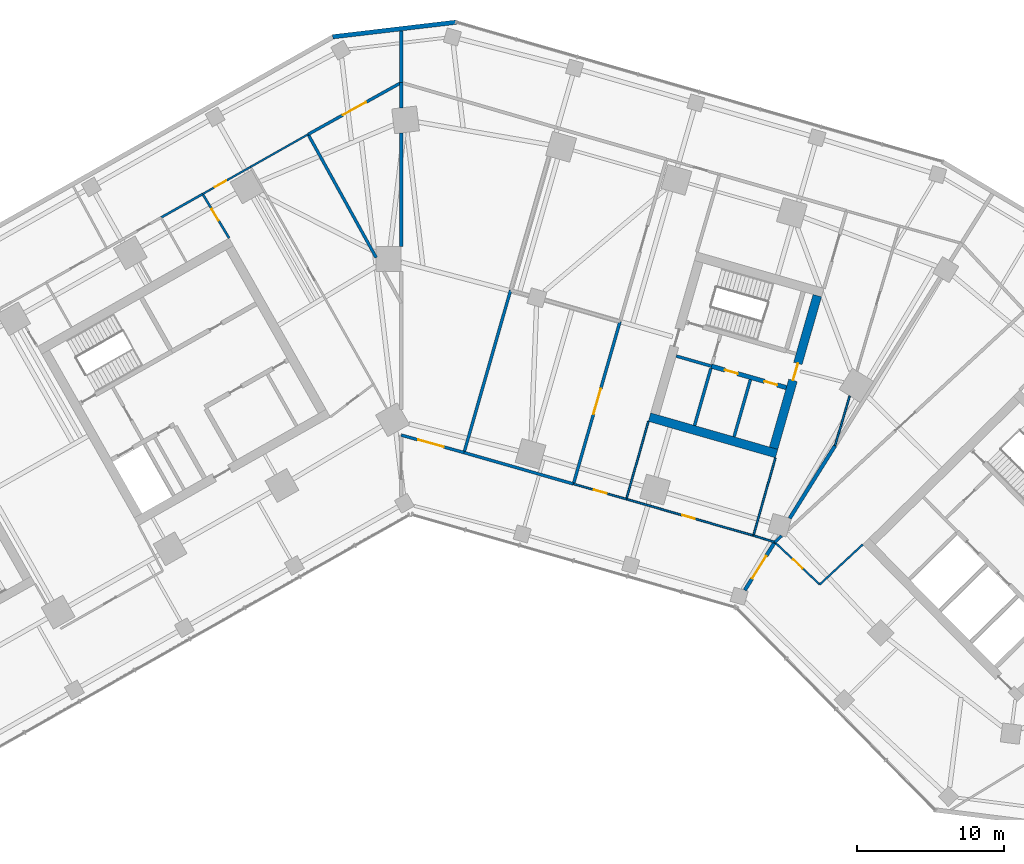
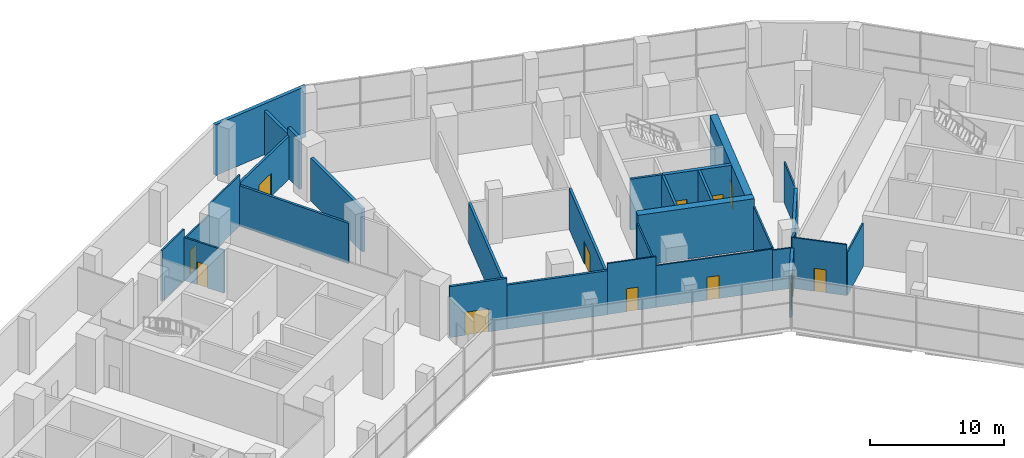
# One storey, part 13 of 18: 31 walls, 12 doors, 12 openings.
"""IFC4 building model written with IfcOpenShell, lengths in metres."""

from ifc_helpers import new_model, si_unit, direction, frame, frame_2d, origin, place, context, subcontext, project, spatial, rectangle, extrude, material, layer, layer_set, type_object, element, fill, save


model = new_model("IFC4")

# Units and contexts
model_context = context("Model", 3, precision=1e-05, world=origin(), true_north=direction((0.0, 1.0)))
body_context = subcontext(model_context, "Body", "Model", "MODEL_VIEW")
ifc_project = project(units=[si_unit("LENGTHUNIT", "METRE"), si_unit("AREAUNIT", "SQUARE_METRE"), si_unit("VOLUMEUNIT", "CUBIC_METRE"), si_unit("PLANEANGLEUNIT", "RADIAN"), si_unit("MASSUNIT", "GRAM", prefix="KILO")], contexts=[model_context])

# Site, building, storey
site_placement = place(None, origin())
site = spatial("IfcSite", under=ifc_project, at=site_placement, CompositionType="ELEMENT")
building_placement = place(site_placement, origin())
building = spatial("IfcBuilding", under=site, at=building_placement, Name="Binnacle Exchange Tower", CompositionType="ELEMENT")
storey_placement = place(building_placement, frame((0.0, 0.0, 6.5)))
storey = spatial("IfcBuildingStorey", under=building, at=storey_placement, Name="L01", CompositionType="ELEMENT", Elevation=6.5)

# Wall
ifc_material_1 = material(Name="Gypsum partition fire rated")
ifc_layer_1 = layer(ifc_material_1, 0.199951171875)
ifc_layer_set_1 = layer_set([ifc_layer_1], Name="Core partition 200")
wall_type_1 = type_object("IfcWallType", Name="Core partition 200", PredefinedType="PARTITIONING", material=ifc_layer_set_1)
wall_1_placement = place(storey_placement, frame((22.664794921875, 47.88330078125, 0.0), z_axis=(0.0, 0.0, 1.0), x_axis=(0.275596769212, 0.961273333033, 0.0)))
element("IfcWall", 1, at=wall_1_placement, inside=storey, type_object=wall_type_1, Name="Core wall CRWD10", PredefinedType="PARTITIONING", context=body_context, shape_type="SweptSolid", body=[
    extrude(rectangle(XDim=4.050048828125, YDim=0.199951171875, at=frame_2d((2.02490234375, 0.0))), origin(), (0.0, 0.0, 1.0), 4.64990234375),
])

# Wall, openings, doors
ifc_material_2 = material(Name="Concrete C70/85", Category="concrete")
ifc_layer_2 = layer(ifc_material_2, 0.300048828125)
ifc_layer_set_2 = layer_set([ifc_layer_2], Name="Core wall - front 300")
wall_type_2 = type_object("IfcWallType", Name="Core wall - front 300", PredefinedType="SOLIDWALL", material=ifc_layer_set_2)
wall_2_placement = place(storey_placement, frame((21.130859375, 52.6923828125, 0.0), z_axis=(0.0, 0.0, 1.0), x_axis=(0.961271492568, -0.275603188616, 0.0)))
wall_2 = element("IfcWall", 2, at=wall_2_placement, inside=storey, type_object=wall_type_2, Name="Core wall CRWD3", PredefinedType="SOLIDWALL", context=body_context, shape_type="SweptSolid", body=[
    extrude(rectangle(XDim=5.300048828125, YDim=0.300048828125, at=frame_2d((2.64990234375, 0.0))), origin(), (0.0, 0.0, 1.0), 4.64990234375),
])
opening_1_placement = place(wall_2_placement, frame((0.949951171875, 0.0, 0.0)))
opening_1 = element("IfcOpeningElement", 3, at=opening_1_placement, cuts=wall_2, Name="Opening DD10", PredefinedType="OPENING", context=body_context, shape_type="SweptSolid", body=[
    extrude(rectangle(XDim=0.89990234375, YDim=2.10009765625, at=frame_2d((0.449951171875, 1.050048828125))), frame((0.0, 0.159912109375, 0.0), z_axis=(0.0, -1.0, 0.0), x_axis=(1.0, 0.0, 0.0)), (0.0, 0.0, 1.0), 0.320068359375),
])
opening_2_placement = place(wall_2_placement, frame((3.75, 0.0, 0.0)))
opening_2 = element("IfcOpeningElement", 4, at=opening_2_placement, cuts=wall_2, Name="Opening DD11", PredefinedType="OPENING", context=body_context, shape_type="SweptSolid", body=[
    extrude(rectangle(XDim=0.89990234375, YDim=2.10009765625, at=frame_2d((0.449951171875, 1.050048828125))), frame((0.0, 0.159912109375, 0.0), z_axis=(0.0, -1.0, 0.0), x_axis=(1.0, 0.0, 0.0)), (0.0, 0.0, 1.0), 0.320068359375),
])
ifc_material_3 = material(Name="Steel door leaf", Category="steel")
door_type_1 = type_object("IfcDoorType", Name="Fire door 900", OperationType="NOTDEFINED", PredefinedType="DOOR", material=ifc_material_3)
door_1_placement = place(opening_1_placement, frame((0.89990234375, 0.0, 0.0), z_axis=(0.0, 0.0, 1.0), x_axis=(-1.0, 0.0, 0.0)))
door_1 = element("IfcDoor", 5, at=door_1_placement, inside=storey, type_object=door_type_1, Name="Core room door IT STORE", OperationType="SINGLE_SWING_RIGHT", OverallHeight=2.10009765625, OverallWidth=0.89990234375, PredefinedType="DOOR", context=body_context, shape_type="SweptSolid", body=[
    extrude(rectangle(XDim=0.89990234375, YDim=2.10009765625, at=frame_2d((0.449951171875, 1.050048828125))), frame((0.0, 0.02490234375, 0.0), z_axis=(0.0, -1.0, 0.0), x_axis=(1.0, 0.0, 0.0)), (0.0, 0.0, 1.0), 0.050048828125),
])
fill(opening_1, door_1)
door_2_placement = place(opening_2_placement, frame((0.89990234375, 0.0, 0.0), z_axis=(0.0, 0.0, 1.0), x_axis=(-1.0, 0.0, 0.0)))
door_2 = element("IfcDoor", 6, at=door_2_placement, inside=storey, type_object=door_type_1, Name="Core room door UPS CUPBOARD", OperationType="SINGLE_SWING_LEFT", OverallHeight=2.10009765625, OverallWidth=0.89990234375, PredefinedType="DOOR", context=body_context, shape_type="SweptSolid", body=[
    extrude(rectangle(XDim=0.89990234375, YDim=2.10009765625, at=frame_2d((0.449951171875, 1.050048828125))), frame((0.0, 0.02490234375, 0.0), z_axis=(0.0, -1.0, 0.0), x_axis=(1.0, 0.0, 0.0)), (0.0, 0.0, 1.0), 0.050048828125),
])
fill(opening_2, door_2)

# Wall
ifc_layer_3 = layer(ifc_material_2, 0.60009765625)
ifc_layer_set_3 = layer_set([ifc_layer_3], Name="Core wall - outer 600")
wall_type_3 = type_object("IfcWallType", Name="Core wall - outer 600", PredefinedType="SOLIDWALL", material=ifc_layer_set_3)
wall_3_placement = place(storey_placement, frame((16.91064453125, 49.22119140625, 0.0), z_axis=(0.0, 0.0, 1.0), x_axis=(0.96126248289, -0.275634611374, 0.0)))
element("IfcWall", 7, at=wall_3_placement, inside=storey, type_object=wall_type_3, Name="Core wall CRWD1", PredefinedType="SOLIDWALL", context=body_context, shape_type="SweptSolid", body=[
    extrude(rectangle(XDim=9.0, YDim=0.60009765625, at=frame_2d((4.5, 0.0))), origin(), (0.0, 0.0, 1.0), 4.64990234375),
])

# Wall, opening, door
wall_4_placement = place(storey_placement, frame((25.356201171875, 47.111572265625, 0.0), z_axis=(0.0, 0.0, 1.0), x_axis=(0.275631631629, 0.961263337304, 0.0)))
wall_4 = element("IfcWall", 8, at=wall_4_placement, inside=storey, type_object=wall_type_3, Name="Core wall CRWD12", PredefinedType="SOLIDWALL", context=body_context, shape_type="SweptSolid", body=[
    extrude(rectangle(XDim=10.800048828125, YDim=0.60009765625, at=frame_2d((5.39990234375, 0.0))), origin(), (0.0, 0.0, 1.0), 4.64990234375),
])
opening_3_placement = place(wall_4_placement, frame((4.800048828125, 0.0, 0.0)))
opening_3 = element("IfcOpeningElement", 9, at=opening_3_placement, cuts=wall_4, Name="Opening DD6", PredefinedType="OPENING", context=body_context, shape_type="SweptSolid", body=[
    extrude(rectangle(XDim=1.199951171875, YDim=2.10009765625, at=frame_2d((0.60009765625, 1.050048828125))), frame((0.0, 0.31005859375, 0.0), z_axis=(0.0, -1.0, 0.0), x_axis=(1.0, 0.0, 0.0)), (0.0, 0.0, 1.0), 0.6201171875),
])
door_type_2 = type_object("IfcDoorType", Name="Fire door 1200", OperationType="NOTDEFINED", PredefinedType="DOOR", material=ifc_material_3)
door_3_placement = place(opening_3_placement, frame((1.199951171875, 0.0, 0.0), z_axis=(0.0, 0.0, 1.0), x_axis=(-1.0, 0.0, 0.0)))
door_3 = element("IfcDoor", 10, at=door_3_placement, inside=storey, type_object=door_type_2, Name="Core passage exit door", OperationType="SINGLE_SWING_LEFT", OverallHeight=2.10009765625, OverallWidth=1.199951171875, PredefinedType="DOOR", context=body_context, shape_type="SweptSolid", body=[
    extrude(rectangle(XDim=1.199951171875, YDim=2.10009765625, at=frame_2d((0.60009765625, 1.050048828125))), frame((0.0, 0.02490234375, 0.0), z_axis=(0.0, -1.0, 0.0), x_axis=(1.0, 0.0, 0.0)), (0.0, 0.0, 1.0), 0.050048828125),
])
fill(opening_3, door_3)

# Walls
ifc_material_4 = material(Name="Bronze aluminium louvre", Category="aluminium")
ifc_layer_4 = layer(ifc_material_4, 0.300048828125)
ifc_layer_set_4 = layer_set([ifc_layer_4], Name="External wall - podium louvre 300")
wall_type_4 = type_object("IfcWallType", Name="External wall - podium louvre 300", PredefinedType="STANDARD", material=ifc_layer_set_4)
wall_5_placement = place(storey_placement, frame((-4.662841796875, 75.1201171875, 0.0), z_axis=(0.0, 0.0, 1.0), x_axis=(0.993069631717, 0.11752747152, 0.0)))
element("IfcWall", 11, at=wall_5_placement, inside=storey, type_object=wall_type_4, Name="External wall EW-P01 L01", PredefinedType="STANDARD", context=body_context, shape_type="SweptSolid", body=[
    extrude(rectangle(XDim=8.462890625, YDim=0.300048828125, at=frame_2d((4.2314453125, 0.0))), origin(), (0.0, 0.0, 1.0), 4.64990234375),
])
ifc_material_5 = material(Name="Masonry block wall", Category="masonry")
ifc_layer_5 = layer(ifc_material_5, 0.199951171875)
ifc_layer_set_5 = layer_set([ifc_layer_5], Name="Fire wall - block 200")
wall_type_5 = type_object("IfcWallType", Name="Fire wall - block 200", PredefinedType="PARTITIONING", material=ifc_layer_set_5)
wall_6_placement = place(storey_placement, frame((-6.3369140625, 68.47802734375, 0.0), z_axis=(0.0, 0.0, 1.0), x_axis=(0.483322867171, -0.875442177456, 0.0)))
element("IfcWall", 12, at=wall_6_placement, inside=storey, type_object=wall_type_5, Name="Partition W39", PredefinedType="PARTITIONING", context=body_context, shape_type="SweptSolid", body=[
    extrude(rectangle(XDim=9.593994140625, YDim=0.199951171875, at=frame_2d((4.796875, 0.0))), origin(), (0.0, 0.0, 1.0), 3.7119140625),
])

# Wall, opening, door
wall_7_placement = place(storey_placement, frame((-6.3369140625, 68.47802734375, 0.0), z_axis=(0.0, 0.0, 1.0), x_axis=(0.87407148623, 0.485797320864, 0.0)))
wall_7 = element("IfcWall", 13, at=wall_7_placement, inside=storey, type_object=wall_type_5, Name="Partition W40", PredefinedType="PARTITIONING", context=body_context, shape_type="SweptSolid", body=[
    extrude(rectangle(XDim=7.25, YDim=0.199951171875, at=frame_2d((3.625, 0.0))), origin(), (0.0, 0.0, 1.0), 3.929931640625),
])
opening_4_placement = place(wall_7_placement, frame((2.699951171875, 0.0, 0.0)))
opening_4 = element("IfcOpeningElement", 14, at=opening_4_placement, cuts=wall_7, Name="Opening DL01-11", PredefinedType="OPENING", context=body_context, shape_type="SweptSolid", body=[
    extrude(rectangle(XDim=1.800048828125, YDim=2.10009765625, at=frame_2d((0.89990234375, 1.050048828125))), frame((0.0, 0.10986328125, 0.0), z_axis=(0.0, -1.0, 0.0), x_axis=(1.0, 0.0, 0.0)), (0.0, 0.0, 1.0), 0.219970703125),
])
door_type_3 = type_object("IfcDoorType", Name="Fire door 1800", OperationType="NOTDEFINED", PredefinedType="DOOR", material=ifc_material_3)
door_4_placement = place(opening_4_placement, frame((1.800048828125, 0.0, 0.0), z_axis=(0.0, 0.0, 1.0), x_axis=(-1.0, 0.0, 0.0)))
door_4 = element("IfcDoor", 15, at=door_4_placement, inside=storey, type_object=door_type_3, Name="Door DL01-11", OperationType="DOUBLE_DOOR_SINGLE_SWING", OverallHeight=2.10009765625, OverallWidth=1.800048828125, PredefinedType="DOOR", context=body_context, shape_type="SweptSolid", body=[
    extrude(rectangle(XDim=1.800048828125, YDim=2.10009765625, at=frame_2d((0.89990234375, 1.050048828125))), frame((0.0, 0.02490234375, 0.0), z_axis=(0.0, -1.0, 0.0), x_axis=(1.0, 0.0, 0.0)), (0.0, 0.0, 1.0), 0.050048828125),
])
fill(opening_4, door_4)

wall_8_placement = place(storey_placement, frame((0.0, 48.0, 0.0), z_axis=(0.0, 0.0, 1.0), x_axis=(0.963400508162, -0.268066150181, 0.0)))
wall_8 = element("IfcWall", 16, at=wall_8_placement, inside=storey, type_object=wall_type_5, Name="Partition W45", PredefinedType="PARTITIONING", context=body_context, shape_type="SweptSolid", body=[
    extrude(rectangle(XDim=4.442626953125, YDim=0.199951171875, at=frame_2d((2.22119140625, 0.0))), origin(), (0.0, 0.0, 1.0), 4.64990234375),
])
opening_5_placement = place(wall_8_placement, frame((1.199951171875, 0.0, 0.0)))
opening_5 = element("IfcOpeningElement", 17, at=opening_5_placement, cuts=wall_8, Name="Opening DL01-19", PredefinedType="OPENING", context=body_context, shape_type="SweptSolid", body=[
    extrude(rectangle(XDim=1.800048828125, YDim=2.10009765625, at=frame_2d((0.89990234375, 1.050048828125))), frame((0.0, 0.10986328125, 0.0), z_axis=(0.0, -1.0, 0.0), x_axis=(1.0, 0.0, 0.0)), (0.0, 0.0, 1.0), 0.219970703125),
])
door_5_placement = place(opening_5_placement, origin())
door_5 = element("IfcDoor", 18, at=door_5_placement, inside=storey, type_object=door_type_3, Name="Door DL01-19", OperationType="DOUBLE_DOOR_SINGLE_SWING", OverallHeight=2.10009765625, OverallWidth=1.800048828125, PredefinedType="DOOR", context=body_context, shape_type="SweptSolid", body=[
    extrude(rectangle(XDim=1.800048828125, YDim=2.10009765625, at=frame_2d((0.89990234375, 1.050048828125))), frame((0.0, 0.02490234375, 0.0), z_axis=(0.0, -1.0, 0.0), x_axis=(1.0, 0.0, 0.0)), (0.0, 0.0, 1.0), 0.050048828125),
])
fill(opening_5, door_5)

# Walls
wall_9_placement = place(storey_placement, frame((4.280029296875, 46.80908203125, 0.0), z_axis=(0.0, 0.0, 1.0), x_axis=(0.275635044812, 0.961262358605, 0.0)))
element("IfcWall", 19, at=wall_9_placement, inside=storey, type_object=wall_type_5, Name="Partition W52", PredefinedType="PARTITIONING", context=body_context, shape_type="SweptSolid", body=[
    extrude(rectangle(XDim=11.50048828125, YDim=0.199951171875, at=frame_2d((5.750244140625, 0.0))), origin(), (0.0, 0.0, 1.0), 3.7119140625),
])
wall_10_placement = place(storey_placement, frame((4.280029296875, 46.80908203125, 0.0), z_axis=(0.0, 0.0, 1.0), x_axis=(0.961270337968, -0.275607215693, 0.0)))
element("IfcWall", 20, at=wall_10_placement, inside=storey, type_object=wall_type_5, Name="Partition W53", PredefinedType="PARTITIONING", context=body_context, shape_type="SweptSolid", body=[
    extrude(rectangle(XDim=7.75, YDim=0.199951171875, at=frame_2d((3.875, 0.0))), origin(), (0.0, 0.0, 1.0), 4.030029296875),
])

# Wall, opening, door
wall_11_placement = place(storey_placement, frame((11.72998046875, 44.673095703125, 0.0), z_axis=(0.0, 0.0, 1.0), x_axis=(0.275635044812, 0.961262358605, 0.0)))
wall_11 = element("IfcWall", 21, at=wall_11_placement, inside=storey, type_object=wall_type_5, Name="Partition W58", PredefinedType="PARTITIONING", context=body_context, shape_type="SweptSolid", body=[
    extrude(rectangle(XDim=11.50048828125, YDim=0.199951171875, at=frame_2d((5.750244140625, 0.0))), origin(), (0.0, 0.0, 1.0), 3.7119140625),
])
opening_6_placement = place(wall_11_placement, frame((4.949951171875, 0.0, 0.0)))
opening_6 = element("IfcOpeningElement", 22, at=opening_6_placement, cuts=wall_11, Name="Opening DL01-21", PredefinedType="OPENING", context=body_context, shape_type="SweptSolid", body=[
    extrude(rectangle(XDim=1.800048828125, YDim=2.10009765625, at=frame_2d((0.89990234375, 1.050048828125))), frame((0.0, 0.10986328125, 0.0), z_axis=(0.0, -1.0, 0.0), x_axis=(1.0, 0.0, 0.0)), (0.0, 0.0, 1.0), 0.219970703125),
])
door_6_placement = place(opening_6_placement, origin())
door_6 = element("IfcDoor", 23, at=door_6_placement, inside=storey, type_object=door_type_3, Name="Door DL01-21", OperationType="DOUBLE_DOOR_SINGLE_SWING", OverallHeight=2.10009765625, OverallWidth=1.800048828125, PredefinedType="DOOR", context=body_context, shape_type="SweptSolid", body=[
    extrude(rectangle(XDim=1.800048828125, YDim=2.10009765625, at=frame_2d((0.89990234375, 1.050048828125))), frame((0.0, 0.02490234375, 0.0), z_axis=(0.0, -1.0, 0.0), x_axis=(1.0, 0.0, 0.0)), (0.0, 0.0, 1.0), 0.050048828125),
])
fill(opening_6, door_6)

# Walls
wall_12_placement = place(storey_placement, frame((25.43603515625, 40.7060546875, 0.0), z_axis=(0.0, 0.0, 1.0), x_axis=(0.733725630695, 0.679445876329, 0.0)))
element("IfcWall", 24, at=wall_12_placement, inside=storey, type_object=wall_type_5, Name="Partition W69", PredefinedType="PARTITIONING", context=body_context, shape_type="SweptSolid", body=[
    extrude(rectangle(XDim=0.64306640625, YDim=0.199951171875, at=frame_2d((0.321533203125, 0.0))), origin(), (0.0, 0.0, 1.0), 4.64990234375),
])
ifc_material_6 = material(Name="Concrete fire wall C30/37", Category="concrete")
ifc_layer_6 = layer(ifc_material_6, 0.25)
ifc_layer_set_6 = layer_set([ifc_layer_6], Name="Fire wall - compartment 250")
wall_type_6 = type_object("IfcWallType", Name="Fire wall - compartment 250", PredefinedType="PARTITIONING", material=ifc_layer_set_6)
wall_13_placement = place(storey_placement, frame((0.0, 60.85009765625, 0.0), z_axis=(0.0, 0.0, 1.0), x_axis=(0.0, 1.0, 0.0)))
element("IfcWall", 25, at=wall_13_placement, inside=storey, type_object=wall_type_6, Name="Fire Wall W48", PredefinedType="PARTITIONING", context=body_context, shape_type="SweptSolid", body=[
    extrude(rectangle(XDim=7.722900390625, YDim=0.25, at=frame_2d((3.861328125, 0.0))), origin(), (0.0, 0.0, 1.0), 3.929931640625),
])
wall_14_placement = place(storey_placement, frame((0.0, 70.284912109375, 0.0), z_axis=(0.0, 0.0, 1.0), x_axis=(0.0, 1.0, 0.0)))
element("IfcWall", 26, at=wall_14_placement, inside=storey, type_object=wall_type_6, Name="Fire Wall W49", PredefinedType="PARTITIONING", context=body_context, shape_type="SweptSolid", body=[
    extrude(rectangle(XDim=1.715087890625, YDim=0.25, at=frame_2d((0.857421875, 0.0))), origin(), (0.0, 0.0, 1.0), 4.64990234375),
])
wall_15_placement = place(storey_placement, frame((0.0, 72.0, 0.0), z_axis=(0.0, 0.0, 1.0), x_axis=(0.0, 1.0, 0.0)))
element("IfcWall", 27, at=wall_15_placement, inside=storey, type_object=wall_type_6, Name="Fire Wall W50", PredefinedType="PARTITIONING", context=body_context, shape_type="SweptSolid", body=[
    extrude(rectangle(XDim=3.52099609375, YDim=0.25, at=frame_2d((1.760498046875, 0.0))), origin(), (0.0, 0.0, 1.0), 4.02392578125),
])

# Wall, opening, door
wall_16_placement = place(storey_placement, frame((23.39697265625, 37.44189453125, 0.0), z_axis=(0.0, 0.0, 1.0), x_axis=(0.529805058875, 0.848119448893, 0.0)))
wall_16 = element("IfcWall", 28, at=wall_16_placement, inside=storey, type_object=wall_type_6, Name="Fire Wall W66", PredefinedType="PARTITIONING", context=body_context, shape_type="SweptSolid", body=[
    extrude(rectangle(XDim=3.8486328125, YDim=0.25, at=frame_2d((1.92431640625, 0.0))), origin(), (0.0, 0.0, 1.0), 3.7119140625),
])
opening_7_placement = place(wall_16_placement, frame((0.949951171875, 0.0, 0.0)))
opening_7 = element("IfcOpeningElement", 29, at=opening_7_placement, cuts=wall_16, Name="Opening DL01-33", PredefinedType="OPENING", context=body_context, shape_type="SweptSolid", body=[
    extrude(rectangle(XDim=1.800048828125, YDim=2.10009765625, at=frame_2d((0.89990234375, 1.050048828125))), frame((0.0, 0.135009765625, 0.0), z_axis=(0.0, -1.0, 0.0), x_axis=(1.0, 0.0, 0.0)), (0.0, 0.0, 1.0), 0.27001953125),
])
door_7_placement = place(opening_7_placement, origin())
door_7 = element("IfcDoor", 30, at=door_7_placement, inside=storey, type_object=door_type_3, Name="Door DL01-33", OperationType="DOUBLE_DOOR_SINGLE_SWING", OverallHeight=2.10009765625, OverallWidth=1.800048828125, PredefinedType="DOOR", context=body_context, shape_type="SweptSolid", body=[
    extrude(rectangle(XDim=1.800048828125, YDim=2.10009765625, at=frame_2d((0.89990234375, 1.050048828125))), frame((0.0, 0.02490234375, 0.0), z_axis=(0.0, -1.0, 0.0), x_axis=(1.0, 0.0, 0.0)), (0.0, 0.0, 1.0), 0.050048828125),
])
fill(opening_7, door_7)

# Walls
wall_17_placement = place(storey_placement, frame((26.4560546875, 42.337890625, 0.0), z_axis=(0.0, 0.0, 1.0), x_axis=(0.529836963461, 0.848099517834, 0.0)))
element("IfcWall", 31, at=wall_17_placement, inside=storey, type_object=wall_type_6, Name="Fire Wall W72", PredefinedType="PARTITIONING", context=body_context, shape_type="SweptSolid", body=[
    extrude(rectangle(XDim=5.826171875, YDim=0.25, at=frame_2d((2.9130859375, 0.0))), origin(), (0.0, 0.0, 1.0), 3.7119140625),
])
ifc_layer_7 = layer(ifc_material_1, 0.14990234375)
ifc_layer_set_7 = layer_set([ifc_layer_7], Name="Fire-rated partition 150")
wall_type_7 = type_object("IfcWallType", Name="Fire-rated partition 150", PredefinedType="PARTITIONING", material=ifc_layer_set_7)
wall_18_placement = place(storey_placement, frame((-16.345947265625, 62.81591796875, 0.0), z_axis=(0.0, 0.0, 1.0), x_axis=(0.870334637055, 0.492460779699, 0.0)))
element("IfcWall", 32, at=wall_18_placement, inside=storey, type_object=wall_type_7, Name="Partition W34", PredefinedType="PARTITIONING", context=body_context, shape_type="SweptSolid", body=[
    extrude(rectangle(XDim=3.249267578125, YDim=0.14990234375, at=frame_2d((1.62451171875, 0.0))), origin(), (0.0, 0.0, 1.0), 4.64990234375),
])

# Wall, opening, door
wall_19_placement = place(storey_placement, frame((-13.51806640625, 64.416015625, 0.0), z_axis=(0.0, 0.0, 1.0), x_axis=(0.514875058642, -0.857265229663, 0.0)))
wall_19 = element("IfcWall", 33, at=wall_19_placement, inside=storey, type_object=wall_type_7, Name="Partition W35", PredefinedType="PARTITIONING", context=body_context, shape_type="SweptSolid", body=[
    extrude(rectangle(XDim=3.501708984375, YDim=0.14990234375, at=frame_2d((1.7509765625, 0.0))), origin(), (0.0, 0.0, 1.0), 3.929931640625),
])
opening_8_placement = place(wall_19_placement, frame((1.199951171875, 0.0, 0.0)))
opening_8 = element("IfcOpeningElement", 34, at=opening_8_placement, cuts=wall_19, Name="Opening DL01-16", PredefinedType="OPENING", context=body_context, shape_type="SweptSolid", body=[
    extrude(rectangle(XDim=0.89990234375, YDim=2.10009765625, at=frame_2d((0.449951171875, 1.050048828125))), frame((0.0, 0.0849609375, 0.0), z_axis=(0.0, -1.0, 0.0), x_axis=(1.0, 0.0, 0.0)), (0.0, 0.0, 1.0), 0.169921875),
])
door_8_placement = place(opening_8_placement, frame((0.89990234375, 0.0, 0.0), z_axis=(0.0, 0.0, 1.0), x_axis=(-1.0, 0.0, 0.0)))
door_8 = element("IfcDoor", 35, at=door_8_placement, inside=storey, type_object=door_type_1, Name="Door DL01-16", OperationType="SINGLE_SWING_RIGHT", OverallHeight=2.10009765625, OverallWidth=0.89990234375, PredefinedType="DOOR", context=body_context, shape_type="SweptSolid", body=[
    extrude(rectangle(XDim=0.89990234375, YDim=2.10009765625, at=frame_2d((0.449951171875, 1.050048828125))), frame((0.0, 0.02490234375, 0.0), z_axis=(0.0, -1.0, 0.0), x_axis=(1.0, 0.0, 0.0)), (0.0, 0.0, 1.0), 0.050048828125),
])
fill(opening_8, door_8)

ifc_material_7 = material(Name="Gypsum partition")
ifc_layer_8 = layer(ifc_material_7, 0.125)
ifc_layer_set_8 = layer_set([ifc_layer_8], Name="Partition 125")
wall_type_8 = type_object("IfcWallType", Name="Partition 125", PredefinedType="PARTITIONING", material=ifc_layer_set_8)
wall_20_placement = place(storey_placement, frame((-13.51806640625, 64.416015625, 0.0), z_axis=(0.0, 0.0, 1.0), x_axis=(0.870338454914, 0.492454032268, 0.0)))
wall_20 = element("IfcWall", 36, at=wall_20_placement, inside=storey, type_object=wall_type_8, Name="Partition W36", PredefinedType="PARTITIONING", context=body_context, shape_type="SweptSolid", body=[
    extrude(rectangle(XDim=3.75048828125, YDim=0.125, at=frame_2d((1.875244140625, 0.0))), origin(), (0.0, 0.0, 1.0), 3.7119140625),
])
opening_9_placement = place(wall_20_placement, frame((0.949951171875, 0.0, 0.0)))
opening_9 = element("IfcOpeningElement", 37, at=opening_9_placement, cuts=wall_20, Name="Opening DL01-06", PredefinedType="OPENING", context=body_context, shape_type="SweptSolid", body=[
    extrude(rectangle(XDim=0.89990234375, YDim=2.10009765625, at=frame_2d((0.449951171875, 1.050048828125))), frame((0.0, 0.072509765625, 0.0), z_axis=(0.0, -1.0, 0.0), x_axis=(1.0, 0.0, 0.0)), (0.0, 0.0, 1.0), 0.14501953125),
])
ifc_material_8 = material(Name="Timber door leaf", Category="wood")
door_type_4 = type_object("IfcDoorType", Name="Door 900", OperationType="NOTDEFINED", PredefinedType="DOOR", material=ifc_material_8)
door_9_placement = place(opening_9_placement, origin())
door_9 = element("IfcDoor", 38, at=door_9_placement, inside=storey, type_object=door_type_4, Name="Door DL01-06", OperationType="SINGLE_SWING_LEFT", OverallHeight=2.10009765625, OverallWidth=0.89990234375, PredefinedType="DOOR", context=body_context, shape_type="SweptSolid", body=[
    extrude(rectangle(XDim=0.89990234375, YDim=2.10009765625, at=frame_2d((0.449951171875, 1.050048828125))), frame((0.0, 0.02490234375, 0.0), z_axis=(0.0, -1.0, 0.0), x_axis=(1.0, 0.0, 0.0)), (0.0, 0.0, 1.0), 0.050048828125),
])
fill(opening_9, door_9)

# Wall
wall_21_placement = place(storey_placement, frame((-10.25390625, 66.262939453125, 0.0), z_axis=(0.0, 0.0, 1.0), x_axis=(0.870454697906, 0.492248533664, 0.0)))
element("IfcWall", 39, at=wall_21_placement, inside=storey, type_object=wall_type_8, Name="Partition W37", PredefinedType="PARTITIONING", context=body_context, shape_type="SweptSolid", body=[
    extrude(rectangle(XDim=4.5, YDim=0.125, at=frame_2d((2.25, 0.0))), origin(), (0.0, 0.0, 1.0), 4.64990234375),
])

# Wall, opening, door
wall_22_placement = place(storey_placement, frame((11.72998046875, 44.673095703125, 0.0), z_axis=(0.0, 0.0, 1.0), x_axis=(0.961228613303, -0.275752702557, 0.0)))
wall_22 = element("IfcWall", 40, at=wall_22_placement, inside=storey, type_object=wall_type_8, Name="Partition W59", PredefinedType="PARTITIONING", context=body_context, shape_type="SweptSolid", body=[
    extrude(rectangle(XDim=3.75048828125, YDim=0.125, at=frame_2d((1.875244140625, 0.0))), origin(), (0.0, 0.0, 1.0), 4.64990234375),
])
opening_10_placement = place(wall_22_placement, frame((1.449951171875, 0.0, 0.0)))
opening_10 = element("IfcOpeningElement", 41, at=opening_10_placement, cuts=wall_22, Name="Opening DL01-17", PredefinedType="OPENING", context=body_context, shape_type="SweptSolid", body=[
    extrude(rectangle(XDim=0.89990234375, YDim=2.10009765625, at=frame_2d((0.449951171875, 1.050048828125))), frame((0.0, 0.072509765625, 0.0), z_axis=(0.0, -1.0, 0.0), x_axis=(1.0, 0.0, 0.0)), (0.0, 0.0, 1.0), 0.14501953125),
])
door_10_placement = place(opening_10_placement, frame((0.89990234375, 0.0, 0.0), z_axis=(0.0, 0.0, 1.0), x_axis=(-1.0, 0.0, 0.0)))
door_10 = element("IfcDoor", 42, at=door_10_placement, inside=storey, type_object=door_type_4, Name="Door DL01-17", OperationType="SINGLE_SWING_LEFT", OverallHeight=2.10009765625, OverallWidth=0.89990234375, PredefinedType="DOOR", context=body_context, shape_type="SweptSolid", body=[
    extrude(rectangle(XDim=0.89990234375, YDim=2.10009765625, at=frame_2d((0.449951171875, 1.050048828125))), frame((0.0, 0.02490234375, 0.0), z_axis=(0.0, -1.0, 0.0), x_axis=(1.0, 0.0, 0.0)), (0.0, 0.0, 1.0), 0.050048828125),
])
fill(opening_10, door_10)

# Wall
wall_23_placement = place(storey_placement, frame((15.3349609375, 43.638916015625, 0.0), z_axis=(0.0, 0.0, 1.0), x_axis=(0.271407455373, 0.962464541252, 0.0)))
element("IfcWall", 43, at=wall_23_placement, inside=storey, type_object=wall_type_8, Name="Partition W61", PredefinedType="PARTITIONING", context=body_context, shape_type="SweptSolid", body=[
    extrude(rectangle(XDim=5.500732421875, YDim=0.125, at=frame_2d((2.75048828125, 0.0))), origin(), (0.0, 0.0, 1.0), 3.929931640625),
])

# Wall, opening, door
wall_24_placement = place(storey_placement, frame((15.3349609375, 43.638916015625, 0.0), z_axis=(0.0, 0.0, 1.0), x_axis=(0.961281982754, -0.275566597455, 0.0)))
wall_24 = element("IfcWall", 44, at=wall_24_placement, inside=storey, type_object=wall_type_8, Name="Partition W62", PredefinedType="PARTITIONING", context=body_context, shape_type="SweptSolid", body=[
    extrude(rectangle(XDim=8.99951171875, YDim=0.125, at=frame_2d((4.499755859375, 0.0))), origin(), (0.0, 0.0, 1.0), 3.822021484375),
])
opening_11_placement = place(wall_24_placement, frame((3.949951171875, 0.0, 0.0)))
opening_11 = element("IfcOpeningElement", 45, at=opening_11_placement, cuts=wall_24, Name="Opening DL01-24", PredefinedType="OPENING", context=body_context, shape_type="SweptSolid", body=[
    extrude(rectangle(XDim=0.89990234375, YDim=2.10009765625, at=frame_2d((0.449951171875, 1.050048828125))), frame((0.0, 0.072509765625, 0.0), z_axis=(0.0, -1.0, 0.0), x_axis=(1.0, 0.0, 0.0)), (0.0, 0.0, 1.0), 0.14501953125),
])
door_11_placement = place(opening_11_placement, origin())
door_11 = element("IfcDoor", 46, at=door_11_placement, inside=storey, type_object=door_type_4, Name="Door DL01-24", OperationType="SINGLE_SWING_LEFT", OverallHeight=2.10009765625, OverallWidth=0.89990234375, PredefinedType="DOOR", context=body_context, shape_type="SweptSolid", body=[
    extrude(rectangle(XDim=0.89990234375, YDim=2.10009765625, at=frame_2d((0.449951171875, 1.050048828125))), frame((0.0, 0.02490234375, 0.0), z_axis=(0.0, -1.0, 0.0), x_axis=(1.0, 0.0, 0.0)), (0.0, 0.0, 1.0), 0.050048828125),
])
fill(opening_11, door_11)

# Walls
wall_25_placement = place(storey_placement, frame((23.986083984375, 41.158935546875, 0.0), z_axis=(0.0, 0.0, 1.0), x_axis=(0.954522865266, -0.298137719325, 0.0)))
element("IfcWall", 47, at=wall_25_placement, inside=storey, type_object=wall_type_8, Name="Partition W67", PredefinedType="PARTITIONING", context=body_context, shape_type="SweptSolid", body=[
    extrude(rectangle(XDim=1.51904296875, YDim=0.125, at=frame_2d((0.759521484375, 0.0))), origin(), (0.0, 0.0, 1.0), 3.7119140625),
])
wall_26_placement = place(storey_placement, frame((23.986083984375, 41.158935546875, 0.0), z_axis=(0.0, 0.0, 1.0), x_axis=(0.271465437068, 0.962448188983, 0.0)))
element("IfcWall", 48, at=wall_26_placement, inside=storey, type_object=wall_type_8, Name="Partition W68", PredefinedType="PARTITIONING", context=body_context, shape_type="SweptSolid", body=[
    extrude(rectangle(XDim=5.49951171875, YDim=0.125, at=frame_2d((2.749755859375, 0.0))), origin(), (0.0, 0.0, 1.0), 3.929931640625),
])

# Wall, opening, door
wall_27_placement = place(storey_placement, frame((25.43603515625, 40.7060546875, 0.0), z_axis=(0.0, 0.0, 1.0), x_axis=(0.729011488135, -0.684501461041, 0.0)))
wall_27 = element("IfcWall", 49, at=wall_27_placement, inside=storey, type_object=wall_type_8, Name="Partition W70", PredefinedType="PARTITIONING", context=body_context, shape_type="SweptSolid", body=[
    extrude(rectangle(XDim=4.20166015625, YDim=0.125, at=frame_2d((2.100830078125, 0.0))), origin(), (0.0, 0.0, 1.0), 4.64990234375),
])
opening_12_placement = place(wall_27_placement, frame((1.699951171875, 0.0, 0.0)))
opening_12 = element("IfcOpeningElement", 50, at=opening_12_placement, cuts=wall_27, Name="Opening DL01-25", PredefinedType="OPENING", context=body_context, shape_type="SweptSolid", body=[
    extrude(rectangle(XDim=0.89990234375, YDim=2.10009765625, at=frame_2d((0.449951171875, 1.050048828125))), frame((0.0, 0.072509765625, 0.0), z_axis=(0.0, -1.0, 0.0), x_axis=(1.0, 0.0, 0.0)), (0.0, 0.0, 1.0), 0.14501953125),
])
door_12_placement = place(opening_12_placement, origin())
door_12 = element("IfcDoor", 51, at=door_12_placement, inside=storey, type_object=door_type_4, Name="Door DL01-25", OperationType="SINGLE_SWING_RIGHT", OverallHeight=2.10009765625, OverallWidth=0.89990234375, PredefinedType="DOOR", context=body_context, shape_type="SweptSolid", body=[
    extrude(rectangle(XDim=0.89990234375, YDim=2.10009765625, at=frame_2d((0.449951171875, 1.050048828125))), frame((0.0, 0.02490234375, 0.0), z_axis=(0.0, -1.0, 0.0), x_axis=(1.0, 0.0, 0.0)), (0.0, 0.0, 1.0), 0.050048828125),
])
fill(opening_12, door_12)

# Walls
wall_28_placement = place(storey_placement, frame((28.4990234375, 37.830078125, 0.0), z_axis=(0.0, 0.0, 1.0), x_axis=(0.732973836409, 0.680256830278, 0.0)))
element("IfcWall", 52, at=wall_28_placement, inside=storey, type_object=wall_type_8, Name="Partition W73", PredefinedType="PARTITIONING", context=body_context, shape_type="SweptSolid", body=[
    extrude(rectangle(XDim=4.001220703125, YDim=0.125, at=frame_2d((2.00048828125, 0.0))), origin(), (0.0, 0.0, 1.0), 3.929931640625),
])
wall_29_placement = place(storey_placement, frame((29.54296875, 47.279052734375, 0.0), z_axis=(0.0, 0.0, 1.0), x_axis=(0.28156355079, 0.959542582102, 0.0)))
element("IfcWall", 53, at=wall_29_placement, inside=storey, type_object=wall_type_8, Name="Partition W75", PredefinedType="PARTITIONING", context=body_context, shape_type="SweptSolid", body=[
    extrude(rectangle(XDim=3.53076171875, YDim=0.125, at=frame_2d((1.765380859375, 0.0))), origin(), (0.0, 0.0, 1.0), 3.7119140625),
])
ifc_layer_9 = layer(ifc_material_5, 0.199951171875)
ifc_layer_set_9 = layer_set([ifc_layer_9], Name="Riser wall 200")
wall_type_9 = type_object("IfcWallType", Name="Riser wall 200", PredefinedType="SOLIDWALL", material=ifc_layer_set_9)
wall_30_placement = place(storey_placement, frame((18.727783203125, 53.381591796875, 0.0), z_axis=(0.0, 0.0, 1.0), x_axis=(0.961247070632, -0.275688355216, 0.0)))
element("IfcWall", 54, at=wall_30_placement, inside=storey, type_object=wall_type_9, Name="Core wall CRWD2", PredefinedType="SOLIDWALL", context=body_context, shape_type="SweptSolid", body=[
    extrude(rectangle(XDim=2.5, YDim=0.199951171875, at=frame_2d((1.25, 0.0))), origin(), (0.0, 0.0, 1.0), 4.64990234375),
])
wall_31_placement = place(storey_placement, frame((19.97314453125, 48.6552734375, 0.0), z_axis=(0.0, 0.0, 1.0), x_axis=(0.275668441653, 0.961252781674, 0.0)))
element("IfcWall", 55, at=wall_31_placement, inside=storey, type_object=wall_type_9, Name="Core wall CRWD8", PredefinedType="SOLIDWALL", context=body_context, shape_type="SweptSolid", body=[
    extrude(rectangle(XDim=4.050048828125, YDim=0.199951171875, at=frame_2d((2.02490234375, 0.0))), origin(), (0.0, 0.0, 1.0), 4.64990234375),
])

save(model, "model.ifc")
